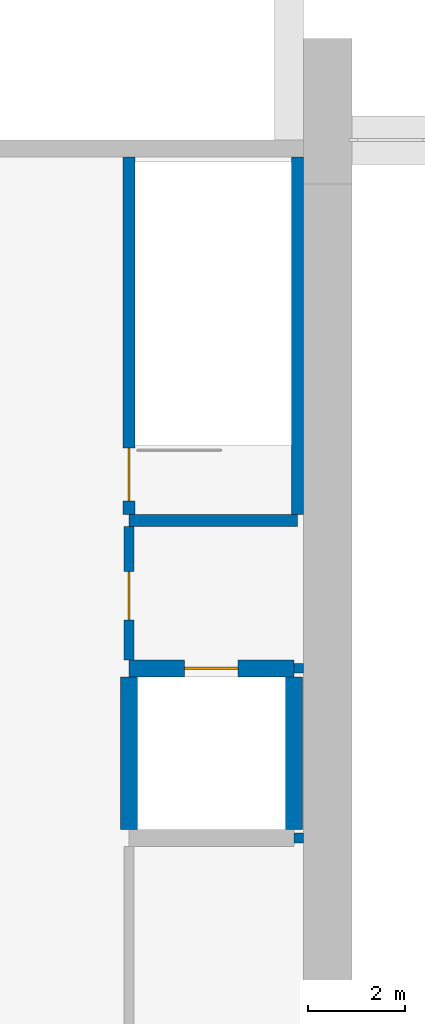
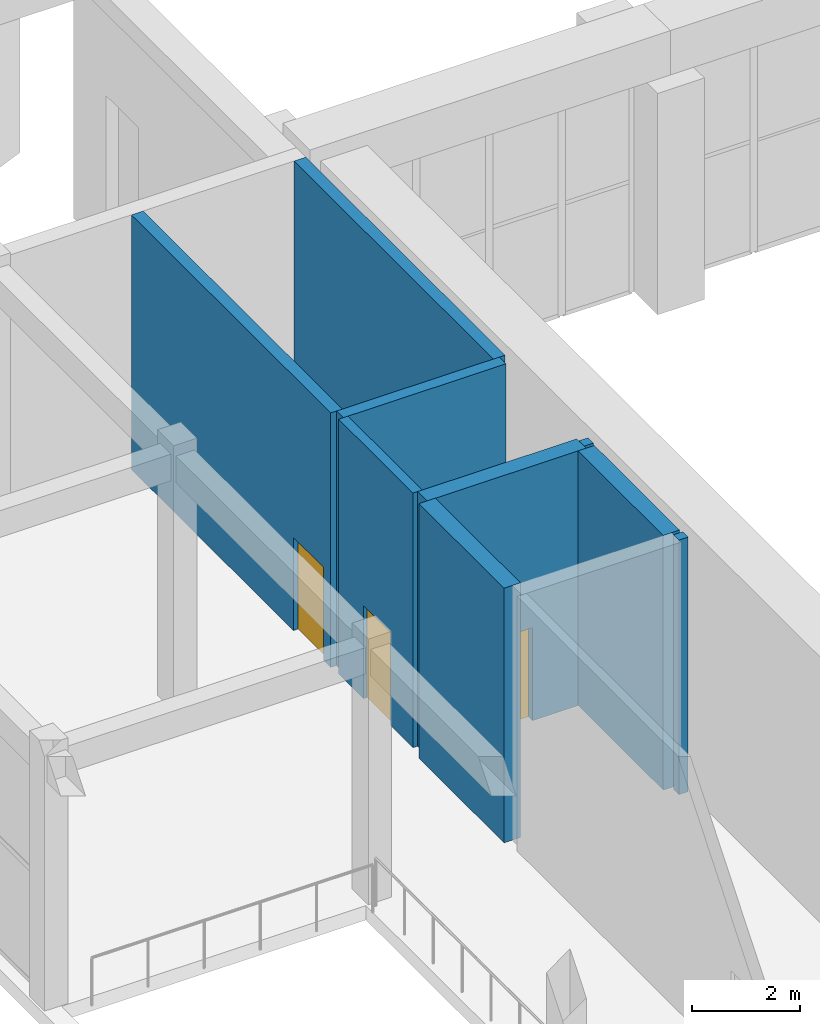
# One storey, part 28 of 44: 9 walls, 3 doors, 3 openings.
"""IFC4 building model written with IfcOpenShell, lengths in metres."""

import ifcopenshell
import ifcopenshell.guid

model = None  # the IFC model being written
_history = None  # IfcOwnerHistory: only IFC2X3 demands one
_inside = {}  # id of a spatial element -> (the spatial element, [elements in it])
_under = {}  # id of a project, library or spatial element -> (it, [spatial elements below it])
_declared = {}  # id of a project -> (the project, [libraries it declares])
_typed = {}  # id of a type object -> (the type object, [elements of that type])
_made_of = {}  # id of a material, layer set ... -> (it, [elements and type objects made of it])


def new_model(schema):
    """Start an empty IFC model of exactly this schema.

    Asked for "IFC4X3", IfcOpenShell would pick the latest addendum, in which some entities
    have other attributes; the version numbers below select the first issue.
    IFC2X3 requires an IfcOwnerHistory on every rooted entity: one is made here for all.
    """
    global model, _history
    if schema == "IFC4X3":
        model = ifcopenshell.file(schema_version=(4, 3, 0, 0))
    else:
        model = ifcopenshell.file(schema=schema)
    _inside.clear()
    _under.clear()
    _declared.clear()
    _typed.clear()
    _made_of.clear()
    _history = None
    if model.schema == "IFC2X3":
        org = make("IfcOrganization", Name="unknown")
        user = make(
            "IfcPersonAndOrganization",
            ThePerson=make("IfcPerson", FamilyName="unknown"),
            TheOrganization=org,
        )
        app = make(
            "IfcApplication",
            ApplicationDeveloper=org,
            Version="unknown",
            ApplicationFullName="unknown",
            ApplicationIdentifier="unknown",
        )
        _history = make(
            "IfcOwnerHistory",
            OwningUser=user,
            OwningApplication=app,
            ChangeAction="ADDED",
            CreationDate=0,
        )
    return model


def make(cls, **values):
    """One entity of the class cls with the attributes given. An attribute that is None is left unset."""
    return model.create_entity(
        cls, **{name: value for name, value in values.items() if value is not None}
    )


def rooted(cls, **values):
    """An entity with a GlobalId (a new one), such as an element, a storey or a relation."""
    return make(cls, GlobalId=ifcopenshell.guid.new(), OwnerHistory=_history, **values)


def si_unit(unit_type, name, prefix=None):
    """IfcSIUnit, for example si_unit("LENGTHUNIT", "METRE", prefix="MILLI")."""
    return make("IfcSIUnit", UnitType=unit_type, Prefix=prefix, Name=name)


def assignment(units):
    """IfcUnitAssignment: the units of a project."""
    return None if units is None else make("IfcUnitAssignment", Units=units)


def point(xyz):
    """IfcCartesianPoint."""
    return None if xyz is None else make("IfcCartesianPoint", Coordinates=xyz)


def direction(xyz):
    """IfcDirection."""
    return None if xyz is None else make("IfcDirection", DirectionRatios=xyz)


def frame(location, z_axis=None, x_axis=None):
    """IfcAxis2Placement3D, a coordinate frame: its origin and axes. An axis left out is left unset."""
    return make(
        "IfcAxis2Placement3D",
        Location=point(location),
        Axis=direction(z_axis),
        RefDirection=direction(x_axis),
    )


def frame_2d(location, x_axis=None):
    """IfcAxis2Placement2D, a coordinate frame in the plane: its origin and x axis."""
    return make(
        "IfcAxis2Placement2D", Location=point(location), RefDirection=direction(x_axis)
    )


def origin():
    """The frame at (0, 0, 0) with its axes left unset."""
    return frame((0.0, 0.0, 0.0))


def place(relative_to, where):
    """IfcLocalPlacement: puts the frame where relative to a parent placement (None: the world)."""
    return make(
        "IfcLocalPlacement", PlacementRelTo=relative_to, RelativePlacement=where
    )


def context(
    kind, dimensions, precision=None, world=None, true_north=None, identifier=None
):
    """IfcGeometricRepresentationContext, for example the 3D "Model" context."""
    return make(
        "IfcGeometricRepresentationContext",
        ContextIdentifier=identifier,
        ContextType=kind,
        CoordinateSpaceDimension=dimensions,
        Precision=precision,
        WorldCoordinateSystem=world,
        TrueNorth=true_north,
    )


def subcontext(parent, identifier, kind, view, scale=None):
    """IfcGeometricRepresentationSubContext, for example "Body" below "Model"."""
    return make(
        "IfcGeometricRepresentationSubContext",
        ContextIdentifier=identifier,
        ContextType=kind,
        ParentContext=parent,
        TargetScale=scale,
        TargetView=view,
    )


def project(units=None, contexts=None):
    """IfcProject with its units and contexts."""
    return rooted(
        "IfcProject",
        Name="project",
        RepresentationContexts=contexts,
        UnitsInContext=assignment(units),
    )


def spatial(cls, under=None, at=None, **own):
    """A site, building, storey or space (cls), placed at a placement, below another one or the project."""
    s = rooted(cls, ObjectPlacement=at, **own)
    if under is not None:
        _under.setdefault(under.id(), (under, []))[1].append(s)
    return s


def profile(cls, at=None, kind="AREA", **sizes):
    """A parametric profile (cls). Its sizes go by their IFC names, for example OverallWidth=200.0."""
    return make(cls, ProfileType=kind, Position=at, **sizes)


def rectangle(**sizes):
    """IfcRectangleProfileDef."""
    return profile("IfcRectangleProfileDef", **sizes)


def extrude(swept, where, along, depth):
    """IfcExtrudedAreaSolid: the profile swept, set in the frame where, extruded along a direction by depth."""
    return make(
        "IfcExtrudedAreaSolid",
        SweptArea=swept,
        Position=where,
        ExtrudedDirection=direction(along),
        Depth=depth,
    )


def shape(context_of_items, identifier, shape_type, items):
    """IfcShapeRepresentation: the items that make up one representation, for example the "Body"."""
    return make(
        "IfcShapeRepresentation",
        ContextOfItems=context_of_items,
        RepresentationIdentifier=identifier,
        RepresentationType=shape_type,
        Items=items,
    )


def material(Name=None, Category=None):
    """IfcMaterial."""
    return make("IfcMaterial", Name=Name, Category=Category)


def layer(
    of_material, thickness, ventilated=None, Name=None, Category=None, Priority=None
):
    """IfcMaterialLayer: one layer of a wall or slab, of a material (None: an air gap)."""
    return make(
        "IfcMaterialLayer",
        Material=of_material,
        LayerThickness=thickness,
        IsVentilated=ventilated,
        Name=Name,
        Category=Category,
        Priority=Priority,
    )


def layer_set(layers, Name=None):
    """IfcMaterialLayerSet."""
    return make("IfcMaterialLayerSet", MaterialLayers=layers, LayerSetName=Name)


def made_of(thing, what):
    """Note that an element or type object is made of a material, layer set ...; save() writes the relation."""
    if what is not None:
        _made_of.setdefault(what.id(), (what, []))[1].append(thing)
    return thing


def type_object(cls, material=None, **own):
    """A type object (cls), such as IfcWallType, which elements share."""
    return made_of(rooted(cls, **own), material)


def element(
    cls,
    number,
    at=None,
    inside=None,
    cuts=None,
    type_object=None,
    material=None,
    context=None,
    identifier="Body",
    shape_type=None,
    held_by="IfcProductDefinitionShape",
    body=None,
    shapes=None,
    **own,
):
    """One element of the class cls, such as IfcWall. Its Tag is "e" and its number.

    at: its placement. inside: the storey or other place that contains it. cuts: it is an
    opening in that element (IfcRelVoidsElement). A single representation is given by context,
    identifier, shape_type and body (its items); several are given by shapes. held_by: the class
    of the entity that holds the representations. save() writes the other relations.
    """
    e = rooted(cls, Tag="e%d" % number, ObjectPlacement=at, **own)
    if body is not None:
        shapes = [shape(context, identifier, shape_type, body)]
    if shapes is not None:
        e.Representation = make(held_by, Representations=shapes)
    if inside is not None:
        _inside.setdefault(inside.id(), (inside, []))[1].append(e)
    if cuts is not None:
        rooted(
            "IfcRelVoidsElement", RelatingBuildingElement=cuts, RelatedOpeningElement=e
        )
    if type_object is not None:
        _typed.setdefault(type_object.id(), (type_object, []))[1].append(e)
    return made_of(e, material)


def fill(opening, filler):
    """IfcRelFillsElement: the door or window that sits in an opening."""
    return rooted(
        "IfcRelFillsElement",
        RelatingOpeningElement=opening,
        RelatedBuildingElement=filler,
    )


def aggregate(whole, parts):
    """IfcRelAggregates: a whole, such as a stair, and the parts it consists of."""
    return rooted("IfcRelAggregates", RelatingObject=whole, RelatedObjects=parts)


def save(model, path):
    """Write the relations noted so far, then the file.

    IfcRelAggregates (storeys below a building ...), IfcRelContainedInSpatialStructure (elements
    in a storey), IfcRelDefinesByType, IfcRelAssociatesMaterial and IfcRelDeclares: one each for
    every whole, place, type object, material and project.
    """
    for whole, parts in _under.values():
        aggregate(whole, parts)
    for where, things in _inside.values():
        rooted(
            "IfcRelContainedInSpatialStructure",
            RelatedElements=things,
            RelatingStructure=where,
        )
    for kind, things in _typed.values():
        rooted("IfcRelDefinesByType", RelatedObjects=things, RelatingType=kind)
    for what, things in _made_of.values():
        rooted("IfcRelAssociatesMaterial", RelatedObjects=things, RelatingMaterial=what)
    for by, libraries in _declared.values():
        rooted("IfcRelDeclares", RelatingContext=by, RelatedDefinitions=libraries)
    model.write(path)


model = new_model("IFC4")

# Units and contexts
model_context = context("Model", 3, precision=1e-05, world=origin(), true_north=direction((0.0, 1.0)))
body_context = subcontext(model_context, "Body", "Model", "MODEL_VIEW")
ifc_project = project(units=[si_unit("LENGTHUNIT", "METRE"), si_unit("AREAUNIT", "SQUARE_METRE"), si_unit("VOLUMEUNIT", "CUBIC_METRE"), si_unit("PLANEANGLEUNIT", "RADIAN"), si_unit("MASSUNIT", "GRAM", prefix="KILO")], contexts=[model_context])

# Site, building, storey
site_placement = place(None, origin())
site = spatial("IfcSite", under=ifc_project, at=site_placement, CompositionType="ELEMENT")
building_placement = place(site_placement, origin())
building = spatial("IfcBuilding", under=site, at=building_placement, Name="Vermilion Court Aquatics Centre", CompositionType="ELEMENT")
storey_placement = place(building_placement, frame((0.0, 0.0, 6.0)))
storey = spatial("IfcBuildingStorey", under=building, at=storey_placement, Name="L01", CompositionType="ELEMENT", Elevation=6.0)

# Wall, opening, door
ifc_material_1 = material(Name="Concrete masonry ASTM C90 Type I", Category="masonry")
ifc_layer_1 = layer(ifc_material_1, 0.199951171875)
ifc_layer_set_1 = layer_set([ifc_layer_1], Name="Foyer fire-rated partition 200")
wall_type_1 = type_object("IfcWallType", Name="Foyer fire-rated partition 200", PredefinedType="PARTITIONING", material=ifc_layer_set_1)
wall_1_placement = place(storey_placement, frame((10.300048828125, 54.074951171875, 0.0), z_axis=(0.0, 0.0, 1.0), x_axis=(0.0, 1.0, 0.0)))
wall_1 = element("IfcWall", 1, at=wall_1_placement, inside=storey, type_object=wall_type_1, Name="Wall", PredefinedType="PARTITIONING", context=body_context, shape_type="SweptSolid", body=[
    extrude(rectangle(XDim=2.75, YDim=0.199951171875, at=frame_2d((1.375, 0.0))), origin(), (0.0, 0.0, 1.0), 5.75),
])
opening_1_placement = place(wall_1_placement, frame((0.824951171875, 0.0, 0.0)))
opening_1 = element("IfcOpeningElement", 2, at=opening_1_placement, cuts=wall_1, Name="Opening F01-003", PredefinedType="OPENING", context=body_context, shape_type="SweptSolid", body=[
    extrude(rectangle(XDim=1.0, YDim=2.10009765625, at=frame_2d((0.5, 1.050048828125))), frame((0.0, 0.10986328125, 0.0), z_axis=(0.0, -1.0, 0.0), x_axis=(1.0, 0.0, 0.0)), (0.0, 0.0, 1.0), 0.219970703125),
])
ifc_material_2 = material(Name="Hollow metal", Category="metal")
door_type_1 = type_object("IfcDoorType", Name="Foyer lobby door 1000", OperationType="NOTDEFINED", PredefinedType="DOOR", material=ifc_material_2)
door_1_placement = place(opening_1_placement, origin())
door_1 = element("IfcDoor", 3, at=door_1_placement, inside=storey, type_object=door_type_1, Name="Lift lobby door", OperationType="SINGLE_SWING_LEFT", OverallHeight=2.10009765625, OverallWidth=1.0, PredefinedType="DOOR", context=body_context, shape_type="SweptSolid", body=[
    extrude(rectangle(XDim=1.0, YDim=2.10009765625, at=frame_2d((0.5, 1.050048828125))), frame((0.0, 0.02490234375, 0.0), z_axis=(0.0, -1.0, 0.0), x_axis=(1.0, 0.0, 0.0)), (0.0, 0.0, 1.0), 0.050048828125),
])
fill(opening_1, door_1)

# Walls
wall_2_placement = place(storey_placement, frame((13.699951171875, 53.89990234375, 0.0), z_axis=(0.0, 0.0, 1.0), x_axis=(1.0, 0.0, 0.0)))
element("IfcWall", 4, at=wall_2_placement, inside=storey, type_object=wall_type_1, Name="Wall", PredefinedType="PARTITIONING", context=body_context, shape_type="SweptSolid", body=[
    extrude(rectangle(XDim=0.199951171875, YDim=0.199951171875, at=frame_2d((0.10009765625, 0.0))), origin(), (0.0, 0.0, 1.0), 5.75),
])
ifc_material_3 = material(Name="Concrete masonry ASTM C90 Type I", Category="masonry")
ifc_layer_2 = layer(ifc_material_3, 0.199951171875)
ifc_layer_set_2 = layer_set([ifc_layer_2], Name="Foyer partition wall 200")
wall_type_2 = type_object("IfcWallType", Name="Foyer partition wall 200", PredefinedType="PARTITIONING", material=ifc_layer_set_2)
wall_3_placement = place(storey_placement, frame((13.699951171875, 50.39990234375, 0.0), z_axis=(0.0, 0.0, 1.0), x_axis=(1.0, 0.0, 0.0)))
element("IfcWall", 5, at=wall_3_placement, inside=storey, type_object=wall_type_2, Name="Partition wall", PredefinedType="PARTITIONING", context=body_context, shape_type="SweptSolid", body=[
    extrude(rectangle(XDim=0.199951171875, YDim=0.199951171875, at=frame_2d((0.10009765625, 0.0))), origin(), (0.0, 0.0, 1.0), 5.75),
])
ifc_material_4 = material(Name="Concrete 5000 psi", Category="concrete")
ifc_layer_3 = layer(ifc_material_4, 0.35009765625)
ifc_layer_set_3 = layer_set([ifc_layer_3], Name="Foyer upper lift shaft wall 350")
wall_type_3 = type_object("IfcWallType", Name="Foyer upper lift shaft wall 350", PredefinedType="SOLIDWALL", material=ifc_layer_set_3)
for number, where, z_axis, x_axis, name in (
    (6, (10.300048828125, 50.574951171875, 0.0), (0.0, 0.0, 1.0), (0.0, 1.0, 0.0), "Lift shaft wall"),
    (7, (13.699951171875, 50.574951171875, 0.0), (0.0, 0.0, 1.0), (0.0, 1.0, 0.0), "Lift shaft wall"),
):
    element("IfcWall", number, at=place(storey_placement, frame(where, z_axis=z_axis, x_axis=x_axis)), inside=storey, type_object=wall_type_3, Name=name, PredefinedType="SOLIDWALL", context=body_context, shape_type="SweptSolid", body=[
        extrude(rectangle(XDim=3.150146484375, YDim=0.35009765625, at=frame_2d((1.5751953125, 0.0))), origin(), (0.0, 0.0, 1.0), 5.75),
    ])

# Wall, opening, door
wall_4_placement = place(storey_placement, frame((10.300048828125, 53.89990234375, 0.0), z_axis=(0.0, 0.0, 1.0), x_axis=(1.0, 0.0, 0.0)))
wall_4 = element("IfcWall", 8, at=wall_4_placement, inside=storey, type_object=wall_type_3, Name="Lift shaft wall", PredefinedType="SOLIDWALL", context=body_context, shape_type="SweptSolid", body=[
    extrude(rectangle(XDim=3.39990234375, YDim=0.35009765625, at=frame_2d((1.699951171875, 0.0))), origin(), (0.0, 0.0, 1.0), 5.75),
])
opening_2_placement = place(wall_4_placement, frame((1.14990234375, 0.0, 0.0)))
opening_2 = element("IfcOpeningElement", 9, at=opening_2_placement, cuts=wall_4, Name="Opening LD1-F1", PredefinedType="OPENING", context=body_context, shape_type="SweptSolid", body=[
    extrude(rectangle(XDim=1.10009765625, YDim=2.10009765625, at=frame_2d((0.550048828125, 1.050048828125))), frame((0.0, 0.18505859375, 0.0), z_axis=(0.0, -1.0, 0.0), x_axis=(1.0, 0.0, 0.0)), (0.0, 0.0, 1.0), 0.3701171875),
])
ifc_material_5 = material(Name="Hollow metal", Category="metal")
door_type_2 = type_object("IfcDoorType", Name="Foyer lift landing door 1100", OperationType="DOUBLE_DOOR_SLIDING", PredefinedType="DOOR", material=ifc_material_5)
door_2_placement = place(opening_2_placement, origin())
door_2 = element("IfcDoor", 10, at=door_2_placement, inside=storey, type_object=door_type_2, Name="Lift landing door", OperationType="DOUBLE_DOOR_SLIDING", OverallHeight=2.10009765625, OverallWidth=1.10009765625, PredefinedType="DOOR", context=body_context, shape_type="SweptSolid", body=[
    extrude(rectangle(XDim=1.10009765625, YDim=2.10009765625, at=frame_2d((0.550048828125, 1.050048828125))), frame((0.0, 0.02490234375, 0.0), z_axis=(0.0, -1.0, 0.0), x_axis=(1.0, 0.0, 0.0)), (0.0, 0.0, 1.0), 0.050048828125),
])
fill(opening_2, door_2)

ifc_material_6 = material(Name="Concrete 5000 psi", Category="concrete")
ifc_layer_4 = layer(ifc_material_6, 0.25)
ifc_layer_set_4 = layer_set([ifc_layer_4], Name="Foyer upper stair wall 250")
wall_type_4 = type_object("IfcWallType", Name="Foyer upper stair wall 250", PredefinedType="SOLIDWALL", material=ifc_layer_set_4)
wall_5_placement = place(storey_placement, frame((10.300048828125, 57.074951171875, 0.0), z_axis=(0.0, 0.0, 1.0), x_axis=(0.0, 1.0, 0.0)))
wall_5 = element("IfcWall", 11, at=wall_5_placement, inside=storey, type_object=wall_type_4, Name="Stair enclosure wall", PredefinedType="SOLIDWALL", context=body_context, shape_type="SweptSolid", body=[
    extrude(rectangle(XDim=7.375, YDim=0.25, at=frame_2d((3.6875, 0.0))), origin(), (0.0, 0.0, 1.0), 5.75),
])
opening_3_placement = place(wall_5_placement, frame((0.27490234375, 0.0, 0.0)))
opening_3 = element("IfcOpeningElement", 12, at=opening_3_placement, cuts=wall_5, Name="Opening F01-002", PredefinedType="OPENING", context=body_context, shape_type="SweptSolid", body=[
    extrude(rectangle(XDim=1.10009765625, YDim=2.10009765625, at=frame_2d((0.550048828125, 1.050048828125))), frame((0.0, 0.135009765625, 0.0), z_axis=(0.0, -1.0, 0.0), x_axis=(1.0, 0.0, 0.0)), (0.0, 0.0, 1.0), 0.27001953125),
])
ifc_material_7 = material(Name="Hollow metal", Category="metal")
door_type_3 = type_object("IfcDoorType", Name="Foyer stair door 1100", OperationType="NOTDEFINED", PredefinedType="DOOR", material=ifc_material_7)
door_3_placement = place(opening_3_placement, frame((1.10009765625, 0.0, 0.0), z_axis=(0.0, 0.0, 1.0), x_axis=(-1.0, 0.0, 0.0)))
door_3 = element("IfcDoor", 13, at=door_3_placement, inside=storey, type_object=door_type_3, Name="Exit stair F2 door", OperationType="SINGLE_SWING_RIGHT", OverallHeight=2.10009765625, OverallWidth=1.10009765625, PredefinedType="DOOR", context=body_context, shape_type="SweptSolid", body=[
    extrude(rectangle(XDim=1.10009765625, YDim=2.10009765625, at=frame_2d((0.550048828125, 1.050048828125))), frame((0.0, 0.025146484375, 0.0), z_axis=(0.0, -1.0, 0.0), x_axis=(1.0, 0.0, 0.0)), (0.0, 0.0, 1.0), 0.050048828125),
])
fill(opening_3, door_3)

# Walls
wall_6_placement = place(storey_placement, frame((13.77490234375, 57.074951171875, 0.0), z_axis=(0.0, 0.0, 1.0), x_axis=(0.0, 1.0, 0.0)))
element("IfcWall", 14, at=wall_6_placement, inside=storey, type_object=wall_type_4, Name="Stair enclosure wall", PredefinedType="SOLIDWALL", context=body_context, shape_type="SweptSolid", body=[
    extrude(rectangle(XDim=7.375, YDim=0.25, at=frame_2d((3.6875, 0.0))), origin(), (0.0, 0.0, 1.0), 5.75),
])
wall_7_placement = place(storey_placement, frame((10.300048828125, 56.949951171875, 0.0), z_axis=(0.0, 0.0, 1.0), x_axis=(1.0, 0.0, 0.0)))
element("IfcWall", 15, at=wall_7_placement, inside=storey, type_object=wall_type_4, Name="Stair enclosure wall", PredefinedType="SOLIDWALL", context=body_context, shape_type="SweptSolid", body=[
    extrude(rectangle(XDim=3.474853515625, YDim=0.25, at=frame_2d((1.7373046875, 0.0))), origin(), (0.0, 0.0, 1.0), 5.75),
])

save(model, "model.ifc")
